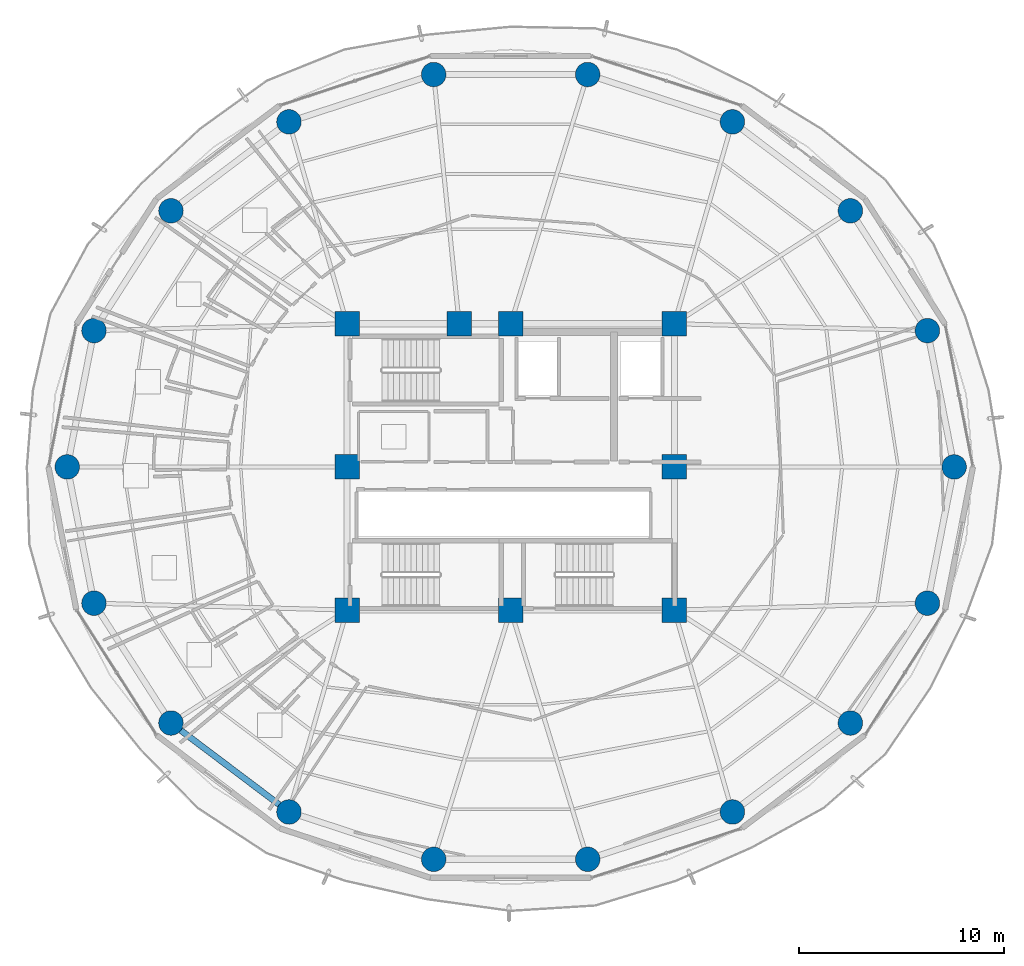
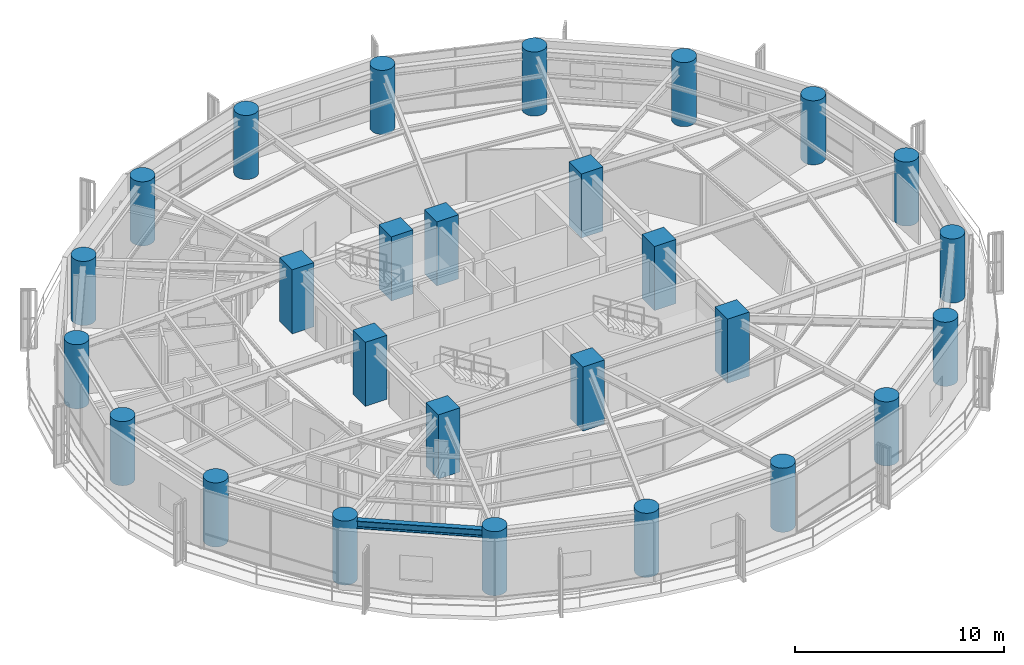
# One storey, part 1 of 28: 27 columns, 1 beam.
"""IFC4 building model written with IfcOpenShell, lengths in metres."""

from ifc_helpers import new_model, si_unit, direction, frame, origin, origin_2d, place, context, subcontext, project, spatial, rectangle, circle, i_section, extrude, material, material_profile, profile_set, type_object, element, save


model = new_model("IFC4")

# Units and contexts
model_context = context("Model", 3, precision=1e-05, world=origin(), true_north=direction((0.0, 1.0)))
body_context = subcontext(model_context, "Body", "Model", "MODEL_VIEW")
ifc_project = project(units=[si_unit("LENGTHUNIT", "METRE"), si_unit("AREAUNIT", "SQUARE_METRE"), si_unit("VOLUMEUNIT", "CUBIC_METRE"), si_unit("PLANEANGLEUNIT", "RADIAN"), si_unit("MASSUNIT", "GRAM", prefix="KILO")], contexts=[model_context])

# Site, building, storey
site_placement = place(None, origin())
site = spatial("IfcSite", under=ifc_project, at=site_placement, CompositionType="ELEMENT")
building_placement = place(site_placement, origin())
building = spatial("IfcBuilding", under=site, at=building_placement, Name="Kelanora Arch Commons", CompositionType="ELEMENT")
storey_placement = place(building_placement, frame((0.0, 0.0, 176.85009765625)))
storey = spatial("IfcBuildingStorey", under=building, at=storey_placement, Name="L45", CompositionType="ELEMENT", Elevation=176.85009765625)

# Columns
ifc_material_1 = material(Name="Concrete C50/60", Category="concrete")
ifc_material_profile_1 = material_profile(ifc_material_1, circle(Radius=0.60009765625, at=origin_2d()), Name="RCC1200")
ifc_profile_set_1 = profile_set([ifc_material_profile_1], Name="Concrete C50/60")
column_type_1 = type_object("IfcColumnType", Name="COL-PERIM-Z3", PredefinedType="COLUMN", material=ifc_profile_set_1)
for number, where, z_axis, x_axis, name in (
    (1, (95.679931640625, 58.0, 0.0), (0.0, 0.0, 1.0), (1.0, 0.0, 0.0), "Perimeter Ring Column CP-00 L45"),
    (2, (94.37255859375, 64.66259765625, 0.0), (0.0, 0.0, 1.0), (1.0, 0.0, 0.0), "Perimeter Ring Column CP-02 L45"),
    (3, (90.60791015625, 70.521484375, 0.0), (0.0, 0.0, 1.0), (1.0, 0.0, 0.0), "Perimeter Ring Column CP-04 L45"),
    (4, (84.840087890625, 74.8701171875, 0.0), (0.0, 0.0, 1.0), (1.0, 0.0, 0.0), "Perimeter Ring Column CP-06 L45"),
    (5, (77.7646484375, 77.18408203125, 0.0), (0.0, 0.0, 1.0), (1.0, 0.0, 0.0), "Perimeter Ring Column CP-08 L45"),
    (6, (70.2353515625, 77.18408203125, 0.0), (0.0, 0.0, 1.0), (1.0, 0.0, 0.0), "Perimeter Ring Column CP-10 L45"),
    (7, (63.159912109375, 74.8701171875, 0.0), (0.0, 0.0, 1.0), (1.0, 0.0, 0.0), "Perimeter Ring Column CP-12 L45"),
    (8, (57.39208984375, 70.521484375, 0.0), (0.0, 0.0, 1.0), (1.0, 0.0, 0.0), "Perimeter Ring Column CP-14 L45"),
    (9, (53.62744140625, 64.66259765625, 0.0), (0.0, 0.0, 1.0), (1.0, 0.0, 0.0), "Perimeter Ring Column CP-16 L45"),
    (10, (52.320068359375, 58.0, 0.0), (0.0, 0.0, 1.0), (1.0, 0.0, 0.0), "Perimeter Ring Column CP-18 L45"),
    (11, (53.62744140625, 51.33740234375, 0.0), (0.0, 0.0, 1.0), (1.0, 0.0, 0.0), "Perimeter Ring Column CP-20 L45"),
    (12, (57.39208984375, 45.478515625, 0.0), (0.0, 0.0, 1.0), (1.0, 0.0, 0.0), "Perimeter Ring Column CP-22 L45"),
    (13, (63.159912109375, 41.1298828125, 0.0), (0.0, 0.0, 1.0), (1.0, 0.0, 0.0), "Perimeter Ring Column CP-24 L45"),
    (14, (70.2353515625, 38.81591796875, 0.0), (0.0, 0.0, 1.0), (1.0, 0.0, 0.0), "Perimeter Ring Column CP-26 L45"),
    (15, (77.7646484375, 38.81591796875, 0.0), (0.0, 0.0, 1.0), (1.0, 0.0, 0.0), "Perimeter Ring Column CP-28 L45"),
    (16, (84.840087890625, 41.1298828125, 0.0), (0.0, 0.0, 1.0), (1.0, 0.0, 0.0), "Perimeter Ring Column CP-30 L45"),
    (17, (90.60791015625, 45.478515625, 0.0), (0.0, 0.0, 1.0), (1.0, 0.0, 0.0), "Perimeter Ring Column CP-32 L45"),
    (18, (94.37255859375, 51.33740234375, 0.0), (0.0, 0.0, 1.0), (1.0, 0.0, 0.0), "Perimeter Ring Column CP-34 L45"),
):
    element("IfcColumn", number, at=place(storey_placement, frame(where, z_axis=z_axis, x_axis=x_axis)), inside=storey, type_object=column_type_1, Name=name, PredefinedType="COLUMN", context=body_context, shape_type="SweptSolid", body=[
        extrude(circle(Radius=0.60009765625, at=origin_2d()), origin(), (0.0, 0.0, 1.0), 3.75),
    ])
ifc_material_2 = material(Name="Concrete C60/75", Category="concrete")
ifc_material_profile_2 = material_profile(ifc_material_2, rectangle(XDim=1.199951171875, YDim=1.199951171875, at=origin_2d()), Name="RC1200x1200")
ifc_profile_set_2 = profile_set([ifc_material_profile_2], Name="Concrete C60/75")
column_type_2 = type_object("IfcColumnType", Name="COL-PIL-MID", PredefinedType="PILASTER", material=ifc_profile_set_2)
for number, where, z_axis, x_axis, name in (
    (19, (66.0, 51.0, 0.0), (0.0, 0.0, 1.0), (1.0, 0.0, 0.0), "Core Pilaster Column CP1 L45"),
    (20, (74.0, 51.0, 0.0), (0.0, 0.0, 1.0), (1.0, 0.0, 0.0), "Core Pilaster Column CP2 L45"),
    (21, (82.0, 51.0, 0.0), (0.0, 0.0, 1.0), (1.0, 0.0, 0.0), "Core Pilaster Column CP3 L45"),
    (22, (82.0, 58.0, 0.0), (0.0, 0.0, 1.0), (1.0, 0.0, 0.0), "Core Pilaster Column CP4 L45"),
    (23, (82.0, 65.0, 0.0), (0.0, 0.0, 1.0), (1.0, 0.0, 0.0), "Core Pilaster Column CP5 L45"),
    (24, (74.0, 65.0, 0.0), (0.0, 0.0, 1.0), (1.0, 0.0, 0.0), "Core Pilaster Column CP6 L45"),
    (25, (71.47998046875, 65.0, 0.0), (0.0, 0.0, 1.0), (1.0, 0.0, 0.0), "Core Pilaster Column CP9 L45"),
    (26, (66.0, 65.0, 0.0), (0.0, 0.0, 1.0), (1.0, 0.0, 0.0), "Core Pilaster Column CP7 L45"),
    (27, (66.0, 58.0, 0.0), (0.0, 0.0, 1.0), (1.0, 0.0, 0.0), "Core Pilaster Column CP8 L45"),
):
    element("IfcColumn", number, at=place(storey_placement, frame(where, z_axis=z_axis, x_axis=x_axis)), inside=storey, type_object=column_type_2, Name=name, PredefinedType="PILASTER", context=body_context, shape_type="SweptSolid", body=[
        extrude(rectangle(XDim=1.199951171875, YDim=1.199951171875, at=origin_2d()), origin(), (0.0, 0.0, 1.0), 3.75),
    ])

# Beam
ifc_material_3 = material(Name="Steel S355", Category="steel")
ifc_material_profile_3 = material_profile(ifc_material_3, i_section(OverallWidth=0.300048828125, OverallDepth=0.449951171875, WebThickness=0.013916015625, FlangeThickness=0.02587890625, FilletRadius=0.027099609375, at=origin_2d()), Name="HEB450")
ifc_profile_set_3 = profile_set([ifc_material_profile_3], Name="Steel S355")
beam_type = type_object("IfcBeamType", Name="BM-SPN-Z3", PredefinedType="SPANDREL", material=ifc_profile_set_3)
beam_placement = place(storey_placement, frame((57.39208984375, 45.478515625, 3.264892578125), z_axis=(0.798484645564, -0.60201517489, 0.0), x_axis=(0.60201517489, 0.798484645564, 0.0)))
element("IfcBeam", 28, at=beam_placement, inside=storey, type_object=beam_type, Name="Perimeter Spandrel Beam BS-22 L45", PredefinedType="SPANDREL", context=body_context, shape_type="SweptSolid", body=[
    extrude(i_section(OverallWidth=0.300048828125, OverallDepth=0.449951171875, WebThickness=0.013916015625, FlangeThickness=0.02587890625, FilletRadius=0.027099609375, at=origin_2d()), origin(), (0.0, 0.0, 1.0), 7.223388671875),
])

save(model, "model.ifc")
